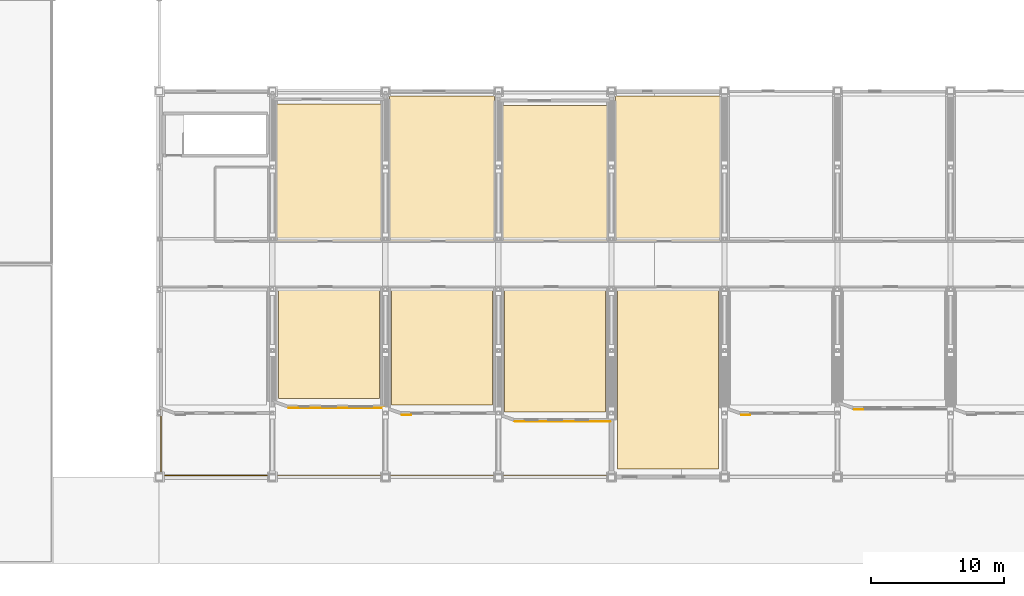
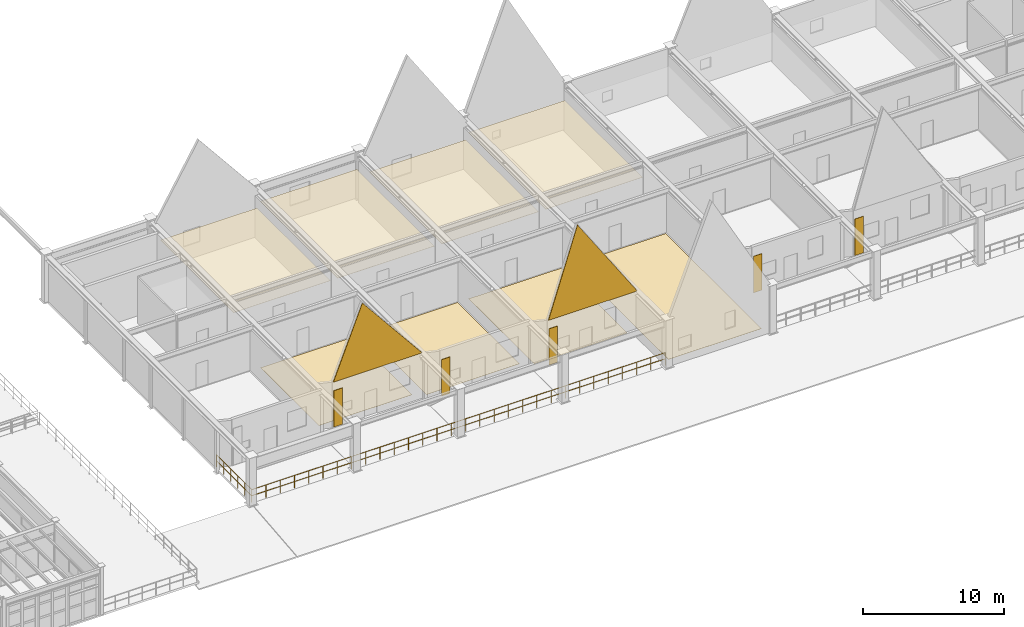
# One storey, part 75 of 78: 15 coverings, 1 railing.
"""IFC4 building model written with IfcOpenShell, lengths in metres."""

import ifcopenshell
import ifcopenshell.guid

model = None  # the IFC model being written
_history = None  # IfcOwnerHistory: only IFC2X3 demands one
_inside = {}  # id of a spatial element -> (the spatial element, [elements in it])
_under = {}  # id of a project, library or spatial element -> (it, [spatial elements below it])
_declared = {}  # id of a project -> (the project, [libraries it declares])
_typed = {}  # id of a type object -> (the type object, [elements of that type])
_made_of = {}  # id of a material, layer set ... -> (it, [elements and type objects made of it])


def new_model(schema):
    """Start an empty IFC model of exactly this schema.

    Asked for "IFC4X3", IfcOpenShell would pick the latest addendum, in which some entities
    have other attributes; the version numbers below select the first issue.
    IFC2X3 requires an IfcOwnerHistory on every rooted entity: one is made here for all.
    """
    global model, _history
    if schema == "IFC4X3":
        model = ifcopenshell.file(schema_version=(4, 3, 0, 0))
    else:
        model = ifcopenshell.file(schema=schema)
    _inside.clear()
    _under.clear()
    _declared.clear()
    _typed.clear()
    _made_of.clear()
    _history = None
    if model.schema == "IFC2X3":
        org = make("IfcOrganization", Name="unknown")
        user = make(
            "IfcPersonAndOrganization",
            ThePerson=make("IfcPerson", FamilyName="unknown"),
            TheOrganization=org,
        )
        app = make(
            "IfcApplication",
            ApplicationDeveloper=org,
            Version="unknown",
            ApplicationFullName="unknown",
            ApplicationIdentifier="unknown",
        )
        _history = make(
            "IfcOwnerHistory",
            OwningUser=user,
            OwningApplication=app,
            ChangeAction="ADDED",
            CreationDate=0,
        )
    return model


def make(cls, **values):
    """One entity of the class cls with the attributes given. An attribute that is None is left unset."""
    return model.create_entity(
        cls, **{name: value for name, value in values.items() if value is not None}
    )


def rooted(cls, **values):
    """An entity with a GlobalId (a new one), such as an element, a storey or a relation."""
    return make(cls, GlobalId=ifcopenshell.guid.new(), OwnerHistory=_history, **values)


def si_unit(unit_type, name, prefix=None):
    """IfcSIUnit, for example si_unit("LENGTHUNIT", "METRE", prefix="MILLI")."""
    return make("IfcSIUnit", UnitType=unit_type, Prefix=prefix, Name=name)


def assignment(units):
    """IfcUnitAssignment: the units of a project."""
    return None if units is None else make("IfcUnitAssignment", Units=units)


def point(xyz):
    """IfcCartesianPoint."""
    return None if xyz is None else make("IfcCartesianPoint", Coordinates=xyz)


def direction(xyz):
    """IfcDirection."""
    return None if xyz is None else make("IfcDirection", DirectionRatios=xyz)


def frame(location, z_axis=None, x_axis=None):
    """IfcAxis2Placement3D, a coordinate frame: its origin and axes. An axis left out is left unset."""
    return make(
        "IfcAxis2Placement3D",
        Location=point(location),
        Axis=direction(z_axis),
        RefDirection=direction(x_axis),
    )


def frame_2d(location, x_axis=None):
    """IfcAxis2Placement2D, a coordinate frame in the plane: its origin and x axis."""
    return make(
        "IfcAxis2Placement2D", Location=point(location), RefDirection=direction(x_axis)
    )


def origin():
    """The frame at (0, 0, 0) with its axes left unset."""
    return frame((0.0, 0.0, 0.0))


def origin_2d():
    """The frame at (0, 0) in the plane with its x axis left unset."""
    return frame_2d((0.0, 0.0))


def place(relative_to, where):
    """IfcLocalPlacement: puts the frame where relative to a parent placement (None: the world)."""
    return make(
        "IfcLocalPlacement", PlacementRelTo=relative_to, RelativePlacement=where
    )


def context(
    kind, dimensions, precision=None, world=None, true_north=None, identifier=None
):
    """IfcGeometricRepresentationContext, for example the 3D "Model" context."""
    return make(
        "IfcGeometricRepresentationContext",
        ContextIdentifier=identifier,
        ContextType=kind,
        CoordinateSpaceDimension=dimensions,
        Precision=precision,
        WorldCoordinateSystem=world,
        TrueNorth=true_north,
    )


def subcontext(parent, identifier, kind, view, scale=None):
    """IfcGeometricRepresentationSubContext, for example "Body" below "Model"."""
    return make(
        "IfcGeometricRepresentationSubContext",
        ContextIdentifier=identifier,
        ContextType=kind,
        ParentContext=parent,
        TargetScale=scale,
        TargetView=view,
    )


def project(units=None, contexts=None):
    """IfcProject with its units and contexts."""
    return rooted(
        "IfcProject",
        Name="project",
        RepresentationContexts=contexts,
        UnitsInContext=assignment(units),
    )


def spatial(cls, under=None, at=None, **own):
    """A site, building, storey or space (cls), placed at a placement, below another one or the project."""
    s = rooted(cls, ObjectPlacement=at, **own)
    if under is not None:
        _under.setdefault(under.id(), (under, []))[1].append(s)
    return s


def polyline(points):
    """IfcPolyline through the points."""
    return make("IfcPolyline", Points=[point(p) for p in points])


def profile(cls, at=None, kind="AREA", **sizes):
    """A parametric profile (cls). Its sizes go by their IFC names, for example OverallWidth=200.0."""
    return make(cls, ProfileType=kind, Position=at, **sizes)


def rectangle(**sizes):
    """IfcRectangleProfileDef."""
    return profile("IfcRectangleProfileDef", **sizes)


def circle(**sizes):
    """IfcCircleProfileDef."""
    return profile("IfcCircleProfileDef", **sizes)


def outline(outer, holes=None, kind="AREA"):
    """IfcArbitraryClosedProfileDef: a profile drawn as a closed curve; with holes, ...WithVoids."""
    if holes is None:
        return make("IfcArbitraryClosedProfileDef", ProfileType=kind, OuterCurve=outer)
    return make(
        "IfcArbitraryProfileDefWithVoids",
        ProfileType=kind,
        OuterCurve=outer,
        InnerCurves=holes,
    )


def extrude(swept, where, along, depth):
    """IfcExtrudedAreaSolid: the profile swept, set in the frame where, extruded along a direction by depth."""
    return make(
        "IfcExtrudedAreaSolid",
        SweptArea=swept,
        Position=where,
        ExtrudedDirection=direction(along),
        Depth=depth,
    )


def shape(context_of_items, identifier, shape_type, items):
    """IfcShapeRepresentation: the items that make up one representation, for example the "Body"."""
    return make(
        "IfcShapeRepresentation",
        ContextOfItems=context_of_items,
        RepresentationIdentifier=identifier,
        RepresentationType=shape_type,
        Items=items,
    )


def material(Name=None, Category=None):
    """IfcMaterial."""
    return make("IfcMaterial", Name=Name, Category=Category)


def layer(
    of_material, thickness, ventilated=None, Name=None, Category=None, Priority=None
):
    """IfcMaterialLayer: one layer of a wall or slab, of a material (None: an air gap)."""
    return make(
        "IfcMaterialLayer",
        Material=of_material,
        LayerThickness=thickness,
        IsVentilated=ventilated,
        Name=Name,
        Category=Category,
        Priority=Priority,
    )


def layer_set(layers, Name=None):
    """IfcMaterialLayerSet."""
    return make("IfcMaterialLayerSet", MaterialLayers=layers, LayerSetName=Name)


def made_of(thing, what):
    """Note that an element or type object is made of a material, layer set ...; save() writes the relation."""
    if what is not None:
        _made_of.setdefault(what.id(), (what, []))[1].append(thing)
    return thing


def type_object(cls, material=None, **own):
    """A type object (cls), such as IfcWallType, which elements share."""
    return made_of(rooted(cls, **own), material)


def element(
    cls,
    number,
    at=None,
    inside=None,
    cuts=None,
    type_object=None,
    material=None,
    context=None,
    identifier="Body",
    shape_type=None,
    held_by="IfcProductDefinitionShape",
    body=None,
    shapes=None,
    **own,
):
    """One element of the class cls, such as IfcWall. Its Tag is "e" and its number.

    at: its placement. inside: the storey or other place that contains it. cuts: it is an
    opening in that element (IfcRelVoidsElement). A single representation is given by context,
    identifier, shape_type and body (its items); several are given by shapes. held_by: the class
    of the entity that holds the representations. save() writes the other relations.
    """
    e = rooted(cls, Tag="e%d" % number, ObjectPlacement=at, **own)
    if body is not None:
        shapes = [shape(context, identifier, shape_type, body)]
    if shapes is not None:
        e.Representation = make(held_by, Representations=shapes)
    if inside is not None:
        _inside.setdefault(inside.id(), (inside, []))[1].append(e)
    if cuts is not None:
        rooted(
            "IfcRelVoidsElement", RelatingBuildingElement=cuts, RelatedOpeningElement=e
        )
    if type_object is not None:
        _typed.setdefault(type_object.id(), (type_object, []))[1].append(e)
    return made_of(e, material)


def aggregate(whole, parts):
    """IfcRelAggregates: a whole, such as a stair, and the parts it consists of."""
    return rooted("IfcRelAggregates", RelatingObject=whole, RelatedObjects=parts)


def save(model, path):
    """Write the relations noted so far, then the file.

    IfcRelAggregates (storeys below a building ...), IfcRelContainedInSpatialStructure (elements
    in a storey), IfcRelDefinesByType, IfcRelAssociatesMaterial and IfcRelDeclares: one each for
    every whole, place, type object, material and project.
    """
    for whole, parts in _under.values():
        aggregate(whole, parts)
    for where, things in _inside.values():
        rooted(
            "IfcRelContainedInSpatialStructure",
            RelatedElements=things,
            RelatingStructure=where,
        )
    for kind, things in _typed.values():
        rooted("IfcRelDefinesByType", RelatedObjects=things, RelatingType=kind)
    for what, things in _made_of.values():
        rooted("IfcRelAssociatesMaterial", RelatedObjects=things, RelatingMaterial=what)
    for by, libraries in _declared.values():
        rooted("IfcRelDeclares", RelatingContext=by, RelatedDefinitions=libraries)
    model.write(path)


model = new_model("IFC4")

# Units and contexts
model_context = context("Model", 3, precision=1e-05, world=origin(), true_north=direction((0.0, 1.0)))
body_context = subcontext(model_context, "Body", "Model", "MODEL_VIEW")
ifc_project = project(units=[si_unit("LENGTHUNIT", "METRE"), si_unit("AREAUNIT", "SQUARE_METRE"), si_unit("VOLUMEUNIT", "CUBIC_METRE"), si_unit("PLANEANGLEUNIT", "RADIAN"), si_unit("MASSUNIT", "GRAM", prefix="KILO"), si_unit("THERMODYNAMICTEMPERATUREUNIT", "KELVIN"), si_unit("POWERUNIT", "WATT")], contexts=[model_context])

# Site, building, storey
site_placement = place(None, origin())
site = spatial("IfcSite", under=ifc_project, at=site_placement, CompositionType="ELEMENT")
building_placement = place(site_placement, origin())
building = spatial("IfcBuilding", under=site, at=building_placement, Name="Zhenchuan Central Fire Station", CompositionType="ELEMENT")
storey_placement = place(building_placement, frame((0.0, 0.0, 5.85009765625)))
storey = spatial("IfcBuildingStorey", under=building, at=storey_placement, Name="L02", CompositionType="ELEMENT", Elevation=5.85009765625)

# Coverings
ifc_material_1 = material(Name="Glulam larch timber GL28h", Category="wood")
ifc_layer_1 = layer(ifc_material_1, 0.0400390625, Name="Glulam larch timber GL28h", Category="wood")
ifc_layer_set_1 = layer_set([ifc_layer_1], Name="Glulam larch timber GL28h")
covering_type_1 = type_object("IfcCoveringType", Name="CLD-LRCH-TIM", PredefinedType="CLADDING", material=ifc_layer_set_1)
covering_1_placement = place(storey_placement, frame((65.699951171875, 11.669921875, 3.949951171875), z_axis=(0.0, 0.0, 1.0), x_axis=(1.0, 0.0, 0.0)))
element("IfcCovering", 1, at=covering_1_placement, inside=storey, type_object=covering_type_1, Name="Pavilion H02 Glulam Larch Gable Cheek Cladding", PredefinedType="CLADDING", context=body_context, shape_type="SweptSolid", body=[
    extrude(outline(polyline([(0.0, 0.0), (7.25, 0.0), (7.25, 0.0), (2.3701171875, 6.010009765625), (0.0, 0.0), (0.0, 0.0)])), frame((0.0, 0.02001953125, 0.0), z_axis=(0.0, -1.0, 0.0), x_axis=(1.0, 0.0, 0.0)), (0.0, 0.0, 1.0), 0.0400390625),
])
covering_2_placement = place(storey_placement, frame((82.699951171875, 10.669921875, 3.949951171875), z_axis=(0.0, 0.0, 1.0), x_axis=(1.0, 0.0, 0.0)))
element("IfcCovering", 2, at=covering_2_placement, inside=storey, type_object=covering_type_1, Name="Pavilion H04 Glulam Larch Gable Cheek Cladding", PredefinedType="CLADDING", context=body_context, shape_type="SweptSolid", body=[
    extrude(outline(polyline([(0.0, 0.0), (7.25, 0.0), (7.25, 0.0), (2.3701171875, 7.409912109375), (0.0, 0.0), (0.0, 0.0)])), frame((0.0, 0.02001953125, 0.0), z_axis=(0.0, -1.0, 0.0), x_axis=(1.0, 0.0, 0.0)), (0.0, 0.0, 1.0), 0.0400390625),
])
ifc_material_2 = material(Name="White standing-seam ribbed aluminium cladding", Category="aluminium")
ifc_layer_2 = layer(ifc_material_2, 0.034912109375, Name="White standing-seam ribbed aluminium cladding", Category="aluminium")
ifc_layer_set_2 = layer_set([ifc_layer_2], Name="White standing-seam ribbed aluminium cladding")
covering_type_2 = type_object("IfcCoveringType", Name="CLD-WHT-MTL", PredefinedType="CLADDING", material=ifc_layer_set_2)
for number, where, z_axis, x_axis, name in (
    (3, (65.75, 11.672607421875, 0.0498046875), (0.0, 0.0, 1.0), (1.0, 0.0, 0.0), "Pavilion H02 White Standing-Seam Ribbed Metal Cladding"),
    (4, (74.25, 11.172607421875, 0.0498046875), (0.0, 0.0, 1.0), (1.0, 0.0, 0.0), "Pavilion H03 White Standing-Seam Ribbed Metal Cladding"),
    (5, (82.75, 10.672607421875, 0.0498046875), (0.0, 0.0, 1.0), (1.0, 0.0, 0.0), "Pavilion H04 White Standing-Seam Ribbed Metal Cladding"),
    (6, (99.75, 11.172607421875, 0.0498046875), (0.0, 0.0, 1.0), (1.0, 0.0, 0.0), "Pavilion H06 White Standing-Seam Ribbed Metal Cladding"),
    (7, (108.25, 11.572509765625, 0.0498046875), (0.0, 0.0, 1.0), (1.0, 0.0, 0.0), "Pavilion H07 White Standing-Seam Ribbed Metal Cladding"),
):
    element("IfcCovering", number, at=place(storey_placement, frame(where, z_axis=z_axis, x_axis=x_axis)), inside=storey, type_object=covering_type_2, Name=name, PredefinedType="CLADDING", context=body_context, shape_type="SweptSolid", body=[
        extrude(rectangle(XDim=0.699951171875, YDim=0.034912109375, at=frame_2d((0.35009765625, 0.0))), origin(), (0.0, 0.0, 1.0), 3.150146484375),
    ])
ifc_material_3 = material(Name="Gypsum plasterboard acoustic ceiling", Category="gypsum")
ifc_layer_3 = layer(ifc_material_3, 0.01806640625, Name="Gypsum plasterboard acoustic ceiling", Category="gypsum")
ifc_layer_set_3 = layer_set([ifc_layer_3], Name="Gypsum plasterboard acoustic ceiling")
covering_type_3 = type_object("IfcCoveringType", Name="COV-CEIL-GYP", PredefinedType="CEILING", material=ifc_layer_set_3)
covering_3_placement = place(storey_placement, frame((0.0, 0.0, 2.64990234375)))
element("IfcCovering", 8, at=covering_3_placement, inside=storey, type_object=covering_type_3, Name="Dispatcher Simulation Studio Acoustic Ceiling", PredefinedType="CEILING", context=body_context, shape_type="SweptSolid", body=[
    extrude(outline(polyline([(72.699951171875, 24.199951171875), (72.699951171875, 34.550048828125), (64.800048828125, 34.550048828125), (64.800048828125, 24.199951171875), (72.699951171875, 24.199951171875)])), origin(), (0.0, 0.0, 1.0), 0.01806640625),
])
covering_4_placement = place(storey_placement, frame((0.0, 0.0, 2.64990234375)))
element("IfcCovering", 9, at=covering_4_placement, inside=storey, type_object=covering_type_3, Name="Protective Suit Store Room Acoustic Ceiling", PredefinedType="CEILING", context=body_context, shape_type="SweptSolid", body=[
    extrude(outline(polyline([(73.300048828125, 24.199951171875), (73.300048828125, 35.14990234375), (81.199951171875, 35.14990234375), (81.199951171875, 24.199951171875), (73.300048828125, 24.199951171875)])), origin(), (0.0, 0.0, 1.0), 0.01806640625),
])
covering_5_placement = place(storey_placement, frame((0.0, 0.0, 2.64990234375)))
element("IfcCovering", 10, at=covering_5_placement, inside=storey, type_object=covering_type_3, Name="Incident Review Classroom Acoustic Ceiling", PredefinedType="CEILING", context=body_context, shape_type="SweptSolid", body=[
    extrude(outline(polyline([(89.699951171875, 24.199951171875), (89.699951171875, 34.449951171875), (81.800048828125, 34.449951171875), (81.800048828125, 24.199951171875), (89.699951171875, 24.199951171875)])), origin(), (0.0, 0.0, 1.0), 0.01806640625),
])
covering_6_placement = place(storey_placement, frame((0.0, 0.0, 2.64990234375)))
element("IfcCovering", 11, at=covering_6_placement, inside=storey, type_object=covering_type_3, Name="Command Briefing Gallery Acoustic Ceiling", PredefinedType="CEILING", context=body_context, shape_type="SweptSolid", body=[
    extrude(outline(polyline([(90.300048828125, 24.199951171875), (90.300048828125, 35.14990234375), (98.199951171875, 35.14990234375), (98.199951171875, 24.199951171875), (90.300048828125, 24.199951171875)])), origin(), (0.0, 0.0, 1.0), 0.01806640625),
])
ifc_material_4 = material(Name="Heavy-duty slip-resistant ceramic tile flooring")
ifc_layer_4 = layer(ifc_material_4, 0.014892578125, Name="Heavy-duty slip-resistant ceramic tile flooring")
ifc_layer_set_4 = layer_set([ifc_layer_4], Name="Heavy-duty slip-resistant ceramic tile flooring")
covering_type_4 = type_object("IfcCoveringType", Name="COV-FLR-RES", PredefinedType="FLOORING", material=ifc_layer_set_4)
covering_7_placement = place(storey_placement, origin())
element("IfcCovering", 12, at=covering_7_placement, inside=storey, type_object=covering_type_4, Name="Urban Search Rescue Classroom Ceramic Tile Flooring", PredefinedType="FLOORING", context=body_context, shape_type="SweptSolid", body=[
    extrude(outline(polyline([(64.949951171875, 12.39990234375), (72.550048828125, 12.39990234375), (72.550048828125, 20.64990234375), (64.949951171875, 20.64990234375), (64.949951171875, 12.39990234375)])), origin(), (0.0, 0.0, 1.0), 0.014892578125),
])
covering_8_placement = place(storey_placement, origin())
element("IfcCovering", 13, at=covering_8_placement, inside=storey, type_object=covering_type_4, Name="Hazardous Materials Study Room Ceramic Tile Flooring", PredefinedType="FLOORING", context=body_context, shape_type="SweptSolid", body=[
    extrude(outline(polyline([(73.449951171875, 11.89990234375), (81.050048828125, 11.89990234375), (81.050048828125, 20.64990234375), (73.449951171875, 20.64990234375), (73.449951171875, 11.89990234375)])), origin(), (0.0, 0.0, 1.0), 0.014892578125),
])
covering_9_placement = place(storey_placement, origin())
element("IfcCovering", 14, at=covering_9_placement, inside=storey, type_object=covering_type_4, Name="Platoon Duty Lounge Ceramic Tile Flooring", PredefinedType="FLOORING", context=body_context, shape_type="SweptSolid", body=[
    extrude(outline(polyline([(81.949951171875, 11.39990234375), (89.550048828125, 11.39990234375), (89.550048828125, 20.64990234375), (81.949951171875, 20.64990234375), (81.949951171875, 11.39990234375)])), origin(), (0.0, 0.0, 1.0), 0.014892578125),
])
covering_10_placement = place(storey_placement, origin())
element("IfcCovering", 15, at=covering_10_placement, inside=storey, type_object=covering_type_4, Name="Central Station Heritage Hall Ceramic Tile Flooring", PredefinedType="FLOORING", context=body_context, shape_type="SweptSolid", body=[
    extrude(outline(polyline([(90.449951171875, 7.10009765625), (98.050048828125, 7.10009765625), (98.050048828125, 20.64990234375), (90.449951171875, 20.64990234375), (90.449951171875, 7.10009765625)])), origin(), (0.0, 0.0, 1.0), 0.014892578125),
])

# Railing
ifc_material_5 = material(Name="Galvanised powder-coated steel", Category="steel")
railing_type = type_object("IfcRailingType", Name="RL-EXT-GRD", PredefinedType="GUARDRAIL", material=ifc_material_5)
railing_placement = place(storey_placement, frame((56.1201171875, 11.60009765625, 0.0)))
element("IfcRailing", 16, at=railing_placement, inside=storey, type_object=railing_type, Name="GRD-L02-V1S-W", PredefinedType="GUARDRAIL", context=body_context, shape_type="SweptSolid", body=[
    extrude(circle(Radius=0.02392578125, at=origin_2d()), frame((0.0, 0.0, 1.076171875), z_axis=(0.0, -1.0, 0.0), x_axis=(1.0, 0.0, 0.0)), (0.0, 0.0, 1.0), 4.97998046875),
    extrude(circle(Radius=0.02392578125, at=origin_2d()), frame((0.0, 0.0, 0.550048828125), z_axis=(0.0, -1.0, 0.0), x_axis=(1.0, 0.0, 0.0)), (0.0, 0.0, 1.0), 4.97998046875),
    extrude(circle(Radius=0.02392578125, at=origin_2d()), frame((0.0, -4.97998046875, 1.076171875), z_axis=(1.0, 0.0, 0.0), x_axis=(0.0, 1.0, 0.0)), (0.0, 0.0, 1.0), 33.77978515625),
    extrude(circle(Radius=0.02392578125, at=origin_2d()), frame((0.0, -4.97998046875, 0.550048828125), z_axis=(1.0, 0.0, 0.0), x_axis=(0.0, 1.0, 0.0)), (0.0, 0.0, 1.0), 33.77978515625),
    extrude(circle(Radius=0.02099609375, at=origin_2d()), origin(), (0.0, 0.0, 1.0), 1.052001953125),
    extrude(circle(Radius=0.02099609375, at=origin_2d()), frame((0.0, -0.99609375, 0.0)), (0.0, 0.0, 1.0), 1.052001953125),
    extrude(circle(Radius=0.02099609375, at=origin_2d()), frame((0.0, -1.991943359375, 0.0)), (0.0, 0.0, 1.0), 1.052001953125),
    extrude(circle(Radius=0.02099609375, at=origin_2d()), frame((0.0, -2.988037109375, 0.0)), (0.0, 0.0, 1.0), 1.052001953125),
    extrude(circle(Radius=0.02099609375, at=origin_2d()), frame((0.0, -3.98388671875, 0.0)), (0.0, 0.0, 1.0), 1.052001953125),
    extrude(circle(Radius=0.02099609375, at=origin_2d()), frame((0.0, -4.97998046875, 0.0)), (0.0, 0.0, 1.0), 1.052001953125),
    extrude(circle(Radius=0.02099609375, at=origin_2d()), frame((1.164794921875, -4.97998046875, 0.0)), (0.0, 0.0, 1.0), 1.052001953125),
    extrude(circle(Radius=0.02099609375, at=origin_2d()), frame((2.32958984375, -4.97998046875, 0.0)), (0.0, 0.0, 1.0), 1.052001953125),
    extrude(circle(Radius=0.02099609375, at=origin_2d()), frame((3.494384765625, -4.97998046875, 0.0)), (0.0, 0.0, 1.0), 1.052001953125),
    extrude(circle(Radius=0.02099609375, at=origin_2d()), frame((4.6591796875, -4.97998046875, 0.0)), (0.0, 0.0, 1.0), 1.052001953125),
    extrude(circle(Radius=0.02099609375, at=origin_2d()), frame((5.82421875, -4.97998046875, 0.0)), (0.0, 0.0, 1.0), 1.052001953125),
    extrude(circle(Radius=0.02099609375, at=origin_2d()), frame((6.989013671875, -4.97998046875, 0.0)), (0.0, 0.0, 1.0), 1.052001953125),
    extrude(circle(Radius=0.02099609375, at=origin_2d()), frame((8.15380859375, -4.97998046875, 0.0)), (0.0, 0.0, 1.0), 1.052001953125),
    extrude(circle(Radius=0.02099609375, at=origin_2d()), frame((9.318603515625, -4.97998046875, 0.0)), (0.0, 0.0, 1.0), 1.052001953125),
    extrude(circle(Radius=0.02099609375, at=origin_2d()), frame((10.4833984375, -4.97998046875, 0.0)), (0.0, 0.0, 1.0), 1.052001953125),
    extrude(circle(Radius=0.02099609375, at=origin_2d()), frame((11.648193359375, -4.97998046875, 0.0)), (0.0, 0.0, 1.0), 1.052001953125),
    extrude(circle(Radius=0.02099609375, at=origin_2d()), frame((12.81298828125, -4.97998046875, 0.0)), (0.0, 0.0, 1.0), 1.052001953125),
    extrude(circle(Radius=0.02099609375, at=origin_2d()), frame((13.977783203125, -4.97998046875, 0.0)), (0.0, 0.0, 1.0), 1.052001953125),
    extrude(circle(Radius=0.02099609375, at=origin_2d()), frame((15.142578125, -4.97998046875, 0.0)), (0.0, 0.0, 1.0), 1.052001953125),
    extrude(circle(Radius=0.02099609375, at=origin_2d()), frame((16.307373046875, -4.97998046875, 0.0)), (0.0, 0.0, 1.0), 1.052001953125),
    extrude(circle(Radius=0.02099609375, at=origin_2d()), frame((17.472412109375, -4.97998046875, 0.0)), (0.0, 0.0, 1.0), 1.052001953125),
    extrude(circle(Radius=0.02099609375, at=origin_2d()), frame((18.63720703125, -4.97998046875, 0.0)), (0.0, 0.0, 1.0), 1.052001953125),
    extrude(circle(Radius=0.02099609375, at=origin_2d()), frame((19.802001953125, -4.97998046875, 0.0)), (0.0, 0.0, 1.0), 1.052001953125),
    extrude(circle(Radius=0.02099609375, at=origin_2d()), frame((20.966796875, -4.97998046875, 0.0)), (0.0, 0.0, 1.0), 1.052001953125),
    extrude(circle(Radius=0.02099609375, at=origin_2d()), frame((22.131591796875, -4.97998046875, 0.0)), (0.0, 0.0, 1.0), 1.052001953125),
    extrude(circle(Radius=0.02099609375, at=origin_2d()), frame((23.29638671875, -4.97998046875, 0.0)), (0.0, 0.0, 1.0), 1.052001953125),
    extrude(circle(Radius=0.02099609375, at=origin_2d()), frame((24.461181640625, -4.97998046875, 0.0)), (0.0, 0.0, 1.0), 1.052001953125),
    extrude(circle(Radius=0.02099609375, at=origin_2d()), frame((25.6259765625, -4.97998046875, 0.0)), (0.0, 0.0, 1.0), 1.052001953125),
    extrude(circle(Radius=0.02099609375, at=origin_2d()), frame((26.790771484375, -4.97998046875, 0.0)), (0.0, 0.0, 1.0), 1.052001953125),
    extrude(circle(Radius=0.02099609375, at=origin_2d()), frame((27.95556640625, -4.97998046875, 0.0)), (0.0, 0.0, 1.0), 1.052001953125),
    extrude(circle(Radius=0.02099609375, at=origin_2d()), frame((29.12060546875, -4.97998046875, 0.0)), (0.0, 0.0, 1.0), 1.052001953125),
    extrude(circle(Radius=0.02099609375, at=origin_2d()), frame((30.285400390625, -4.97998046875, 0.0)), (0.0, 0.0, 1.0), 1.052001953125),
    extrude(circle(Radius=0.02099609375, at=origin_2d()), frame((31.4501953125, -4.97998046875, 0.0)), (0.0, 0.0, 1.0), 1.052001953125),
    extrude(circle(Radius=0.02099609375, at=origin_2d()), frame((32.614990234375, -4.97998046875, 0.0)), (0.0, 0.0, 1.0), 1.052001953125),
    extrude(circle(Radius=0.02099609375, at=origin_2d()), frame((33.77978515625, -4.97998046875, 0.0)), (0.0, 0.0, 1.0), 1.052001953125),
])

save(model, "model.ifc")
